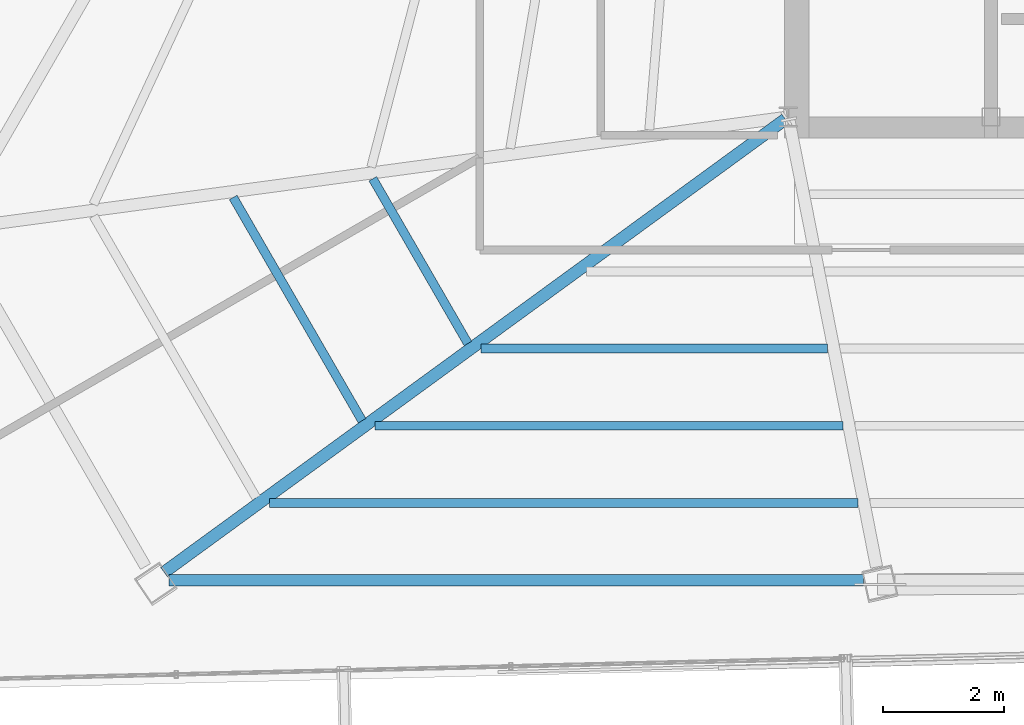
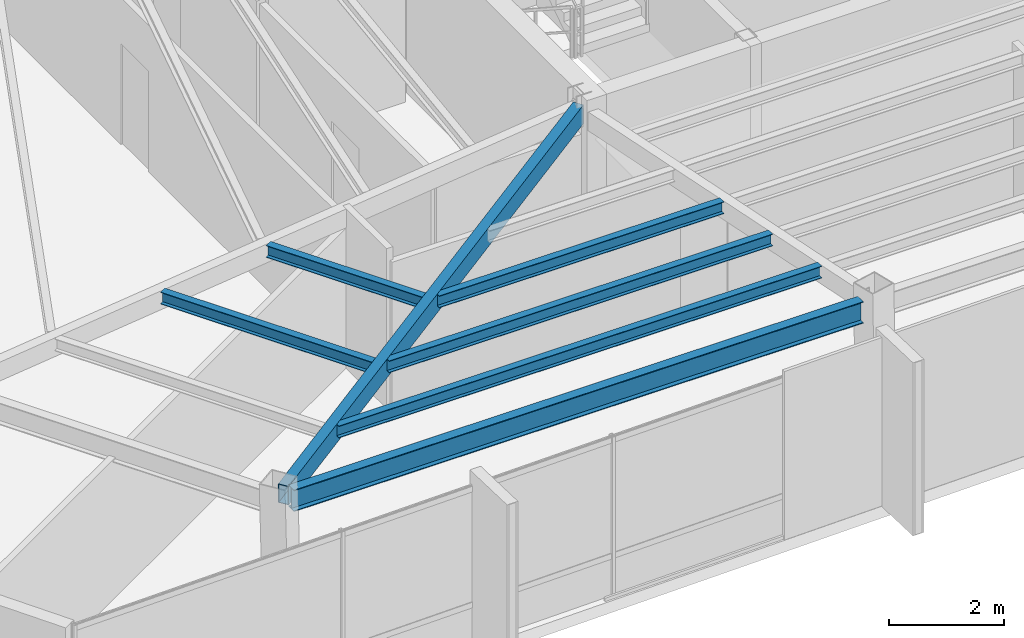
# One storey, part 6 of 45: 7 beams.
"""IFC4 building model written with IfcOpenShell, lengths in metres."""

from ifc_helpers import new_model, si_unit, direction, frame, origin, origin_2d, place, context, subcontext, project, spatial, hollow_rectangle, i_section, extrude, source, transform, mapped, material, material_profile, profile_set, type_object, type_shapes, element, save


model = new_model("IFC4")

# Units and contexts
model_context = context("Model", 3, precision=1e-05, world=origin(), true_north=direction((0.0, 1.0)))
body_context = subcontext(model_context, "Body", "Model", "MODEL_VIEW")
ifc_project = project(units=[si_unit("LENGTHUNIT", "METRE"), si_unit("AREAUNIT", "SQUARE_METRE"), si_unit("VOLUMEUNIT", "CUBIC_METRE"), si_unit("PLANEANGLEUNIT", "RADIAN"), si_unit("MASSUNIT", "GRAM", prefix="KILO")], contexts=[model_context])

# Site, building, storey
site_placement = place(None, origin())
site = spatial("IfcSite", under=ifc_project, at=site_placement, CompositionType="ELEMENT")
building_placement = place(site_placement, origin())
building = spatial("IfcBuilding", under=site, at=building_placement, Name="Caelisora Broadcast Tower", CompositionType="ELEMENT")
storey_placement = place(building_placement, frame((0.0, 0.0, 273.64990234375)))
storey = spatial("IfcBuildingStorey", under=building, at=storey_placement, Name="L72", CompositionType="ELEMENT", Elevation=273.64990234375)

# Beams
ifc_material_1 = material(Name="Steel Grade 350 (AS/NZS 3679.1)", Category="steel")
ifc_material_profile_1 = material_profile(ifc_material_1, i_section(OverallWidth=0.19091796875, OverallDepth=0.46044921875, WebThickness=0.010009765625, FlangeThickness=0.01611328125, at=origin_2d()), Name="Steel Grade 350 (AS/NZS 3679.1)")
ifc_profile_set_1 = profile_set([ifc_material_profile_1], Name="Steel Grade 350 (AS/NZS 3679.1)")
beam_type_1 = type_object("IfcBeamType", Name="PG06", PredefinedType="BEAM", material=ifc_profile_set_1)
shared_shape_1 = source(origin(), body_context, "Body", "SweptSolid", [
    extrude(i_section(OverallWidth=0.19091796875, OverallDepth=0.46044921875, WebThickness=0.010009765625, FlangeThickness=0.01611328125, at=origin_2d()), origin(), (0.0, 0.0, 1.0), 11.47705078125),
])
type_shapes(beam_type_1, [shared_shape_1])
beam_1_placement = place(storey_placement, frame((20.2646484375, 9.745849609375, 3.169921875), z_axis=(1.0, 0.0, 0.0), x_axis=(0.0, 1.0, 0.0)))
element("IfcBeam", 1, at=beam_1_placement, inside=storey, type_object=beam_type_1, Name="L72 beam PG06", PredefinedType="BEAM", context=body_context, shape_type="MappedRepresentation", body=[
    mapped(shared_shape_1, transform((0.0, 0.0, 0.0), scale=1.0)),
])
ifc_material_2 = material(Name="Steel Grade 350 (AS/NZS 1163 C350L0)", Category="steel")
ifc_material_profile_2 = material_profile(ifc_material_2, hollow_rectangle(XDim=0.199951171875, YDim=0.39990234375, WallThickness=0.012451171875, at=origin_2d()), Name="Steel Grade 350 (AS/NZS 1163 C350L0)")
ifc_profile_set_2 = profile_set([ifc_material_profile_2], Name="Steel Grade 350 (AS/NZS 1163 C350L0)")
beam_type_2 = type_object("IfcBeamType", Name="PG07", PredefinedType="BEAM", material=ifc_profile_set_2)
shared_shape_2 = source(origin(), body_context, "Body", "SweptSolid", [
    extrude(hollow_rectangle(XDim=0.199951171875, YDim=0.39990234375, WallThickness=0.012451171875, at=origin_2d()), origin(), (0.0, 0.0, 1.0), 12.70947265625),
])
type_shapes(beam_type_2, [shared_shape_2])
beam_2_placement = place(storey_placement, frame((30.451416015625, 17.364501953125, 3.2001953125), z_axis=(-0.807957041253, -0.589241393225, 0.0), x_axis=(0.589241393225, -0.807957041253, 0.0)))
element("IfcBeam", 2, at=beam_2_placement, inside=storey, type_object=beam_type_2, Name="L72 beam PG07", PredefinedType="BEAM", context=body_context, shape_type="MappedRepresentation", body=[
    mapped(shared_shape_2, transform((0.0, 0.0, 0.0), scale=1.0)),
])
ifc_material_profile_3 = material_profile(ifc_material_1, i_section(OverallWidth=0.14599609375, OverallDepth=0.256103515625, WebThickness=0.00634765625, FlangeThickness=0.010986328125, at=origin_2d()), Name="Steel Grade 350 (AS/NZS 3679.1)")
ifc_profile_set_3 = profile_set([ifc_material_profile_3], Name="Steel Grade 350 (AS/NZS 3679.1)")
beam_type_3 = type_object("IfcBeamType", Name="SB04", PredefinedType="JOIST", material=ifc_profile_set_3)
shared_shape_3 = source(origin(), body_context, "Body", "SweptSolid", [
    extrude(i_section(OverallWidth=0.14599609375, OverallDepth=0.256103515625, WebThickness=0.00634765625, FlangeThickness=0.010986328125, at=origin_2d()), origin(), (0.0, 0.0, 1.0), 3.14404296875),
])
beam_3_placement = place(storey_placement, frame((23.631591796875, 16.38037109375, 3.27197265625), z_axis=(0.499989077369, -0.866031709877, 0.0), x_axis=(0.866031709877, 0.499989077369, 0.0)))
element("IfcBeam", 3, at=beam_3_placement, inside=storey, type_object=beam_type_3, Name="L72 beam SB04", PredefinedType="JOIST", context=body_context, shape_type="MappedRepresentation", body=[
    mapped(shared_shape_3, transform((0.0, 0.0, 0.0), scale=1.0)),
])
shared_shape_4 = source(origin(), body_context, "Body", "SweptSolid", [
    extrude(i_section(OverallWidth=0.14599609375, OverallDepth=0.256103515625, WebThickness=0.00634765625, FlangeThickness=0.010986328125, at=origin_2d()), origin(), (0.0, 0.0, 1.0), 4.259765625),
])
beam_4_placement = place(storey_placement, frame((21.324462890625, 16.07080078125, 3.27197265625), z_axis=(0.500010206181, -0.866019511163, 0.0), x_axis=(0.866019511163, 0.500010206181, 0.0)))
element("IfcBeam", 4, at=beam_4_placement, inside=storey, type_object=beam_type_3, Name="L72 beam SB04", PredefinedType="JOIST", context=body_context, shape_type="MappedRepresentation", body=[
    mapped(shared_shape_4, transform((0.0, 0.0, 0.0), scale=1.0)),
])
shared_shape_5 = source(origin(), body_context, "Body", "SweptSolid", [
    extrude(i_section(OverallWidth=0.14599609375, OverallDepth=0.256103515625, WebThickness=0.00634765625, FlangeThickness=0.010986328125, at=origin_2d()), origin(), (0.0, 0.0, 1.0), 5.73291015625),
])
beam_5_placement = place(storey_placement, frame((25.4189453125, 13.572998046875, 3.27197265625), z_axis=(1.0, 0.0, 0.0), x_axis=(0.0, 1.0, 0.0)))
element("IfcBeam", 5, at=beam_5_placement, inside=storey, type_object=beam_type_3, Name="L72 beam SB04", PredefinedType="JOIST", context=body_context, shape_type="MappedRepresentation", body=[
    mapped(shared_shape_5, transform((0.0, 0.0, 0.0), scale=1.0)),
])
shared_shape_6 = source(origin(), body_context, "Body", "SweptSolid", [
    extrude(i_section(OverallWidth=0.14599609375, OverallDepth=0.256103515625, WebThickness=0.00634765625, FlangeThickness=0.010986328125, at=origin_2d()), origin(), (0.0, 0.0, 1.0), 7.732177734375),
])
beam_6_placement = place(storey_placement, frame((23.669921875, 12.29736328125, 3.27197265625), z_axis=(1.0, 0.0, 0.0), x_axis=(0.0, 1.0, 0.0)))
element("IfcBeam", 6, at=beam_6_placement, inside=storey, type_object=beam_type_3, Name="L72 beam SB04", PredefinedType="JOIST", context=body_context, shape_type="MappedRepresentation", body=[
    mapped(shared_shape_6, transform((0.0, 0.0, 0.0), scale=1.0)),
])
shared_shape_7 = source(origin(), body_context, "Body", "SweptSolid", [
    extrude(i_section(OverallWidth=0.14599609375, OverallDepth=0.256103515625, WebThickness=0.00634765625, FlangeThickness=0.010986328125, at=origin_2d()), origin(), (0.0, 0.0, 1.0), 9.731689453125),
])
type_shapes(beam_type_3, [shared_shape_3, shared_shape_4, shared_shape_5, shared_shape_6, shared_shape_7])
beam_7_placement = place(storey_placement, frame((21.920654296875, 11.021484375, 3.27197265625), z_axis=(1.0, 0.0, 0.0), x_axis=(0.0, 1.0, 0.0)))
element("IfcBeam", 7, at=beam_7_placement, inside=storey, type_object=beam_type_3, Name="L72 beam SB04", PredefinedType="JOIST", context=body_context, shape_type="MappedRepresentation", body=[
    mapped(shared_shape_7, transform((0.0, 0.0, 0.0), scale=1.0)),
])

save(model, "model.ifc")
